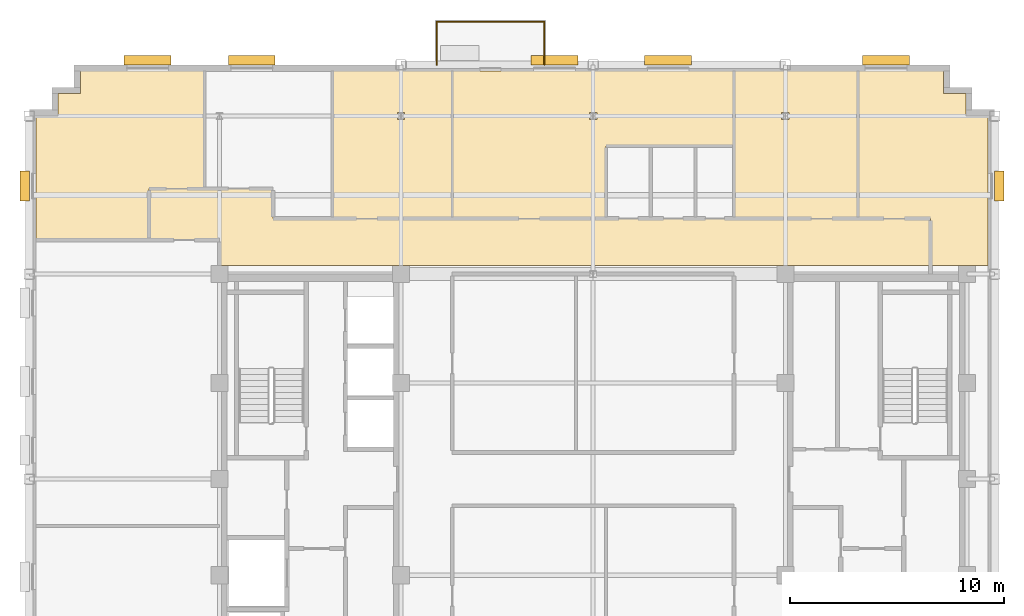
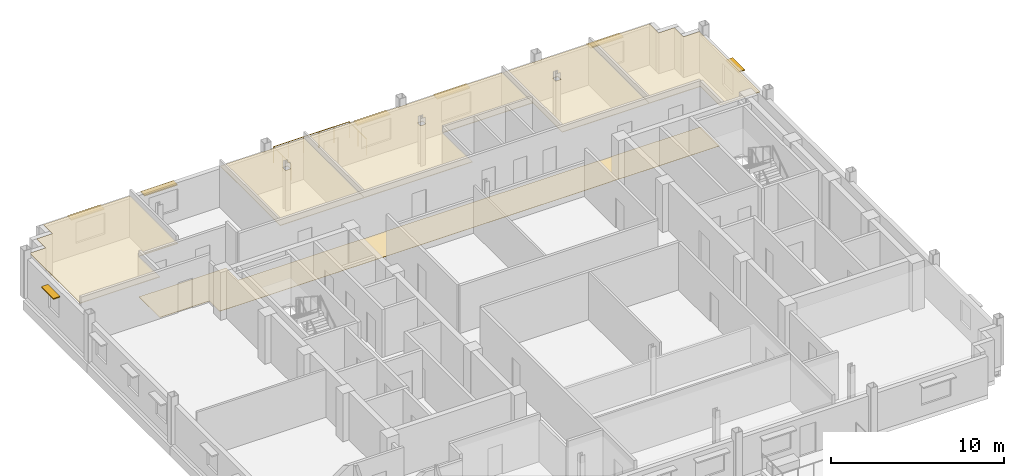
# One storey, part 13 of 13: 7 shading devices, 6 coverings, 1 railing.
"""IFC4 building model written with IfcOpenShell, lengths in metres."""

from ifc_helpers import new_model, si_unit, direction, frame, origin, origin_2d, place, context, subcontext, project, spatial, polyline, rectangle, circle, outline, extrude, source, transform, mapped, material, layer, layer_set, type_object, type_shapes, element, save


model = new_model("IFC4")

# Units and contexts
model_context = context("Model", 3, precision=1e-05, world=origin(), true_north=direction((0.0, 1.0)))
body_context = subcontext(model_context, "Body", "Model", "MODEL_VIEW")
ifc_project = project(units=[si_unit("LENGTHUNIT", "METRE"), si_unit("AREAUNIT", "SQUARE_METRE"), si_unit("VOLUMEUNIT", "CUBIC_METRE"), si_unit("PLANEANGLEUNIT", "RADIAN"), si_unit("MASSUNIT", "GRAM", prefix="KILO")], contexts=[model_context])

# Site, building, storey
site_placement = place(None, origin())
site = spatial("IfcSite", under=ifc_project, at=site_placement, CompositionType="ELEMENT")
building_placement = place(site_placement, origin())
building = spatial("IfcBuilding", under=site, at=building_placement, Name="Nuvemarco Arch Tower", CompositionType="ELEMENT")
storey_placement = place(building_placement, frame((0.0, 0.0, 231.050048828125)))
storey = spatial("IfcBuildingStorey", under=building, at=storey_placement, Name="L61", CompositionType="ELEMENT", Elevation=231.050048828125)

# Coverings
ifc_material_1 = material(Name="Mineral acoustic ceiling tile")
ifc_layer_1 = layer(ifc_material_1, 0.0400390625, Name="COV-ACOUSTIC-CLG")
ifc_layer_set_1 = layer_set([ifc_layer_1], Name="Mineral acoustic ceiling tile")
covering_type_1 = type_object("IfcCoveringType", Name="COV-ACOUSTIC-CLG", PredefinedType="CEILING", material=ifc_layer_set_1)
covering_1_placement = place(storey_placement, frame((0.0, 0.0, 2.849853515625)))
element("IfcCovering", 1, at=covering_1_placement, inside=storey, type_object=covering_type_1, Name="L61 suspended acoustic ceiling 2", PredefinedType="CEILING", context=body_context, shape_type="SweptSolid", body=[
    extrude(outline(polyline([(-6.60009765625, 12.199951171875), (-6.60009765625, 19.10009765625), (6.60009765625, 19.10009765625), (6.60009765625, 15.60009765625), (4.800048828125, 15.60009765625), (2.699951171875, 15.60009765625), (0.60009765625, 15.60009765625), (0.60009765625, 12.199951171875), (-6.60009765625, 12.199951171875)]), holes=[polyline([(0.169921875, 16.830078125), (0.169921875, 17.169921875), (-0.169921875, 17.169921875), (-0.169921875, 16.830078125), (0.169921875, 16.830078125)])]), origin(), (0.0, 0.0, 1.0), 0.0400390625),
])
covering_2_placement = place(storey_placement, frame((0.0, 0.0, 2.849853515625)))
element("IfcCovering", 2, at=covering_2_placement, inside=storey, type_object=covering_type_1, Name="L61 suspended acoustic ceiling 6", PredefinedType="CEILING", context=body_context, shape_type="SweptSolid", body=[
    extrude(outline(polyline([(-25.050048828125, 17.0), (-25.050048828125, 18.050048828125), (-24.0, 18.050048828125), (-24.0, 19.10009765625), (-18.199951171875, 19.10009765625), (-18.199951171875, 13.60009765625), (-20.800048828125, 13.60009765625), (-20.800048828125, 11.199951171875), (-26.10009765625, 11.199951171875), (-26.10009765625, 17.0), (-25.050048828125, 17.0)])), origin(), (0.0, 0.0, 1.0), 0.0400390625),
])
covering_3_placement = place(storey_placement, frame((0.0, 0.0, 2.849853515625)))
element("IfcCovering", 3, at=covering_3_placement, inside=storey, type_object=covering_type_1, Name="L61 suspended acoustic ceiling 7", PredefinedType="CEILING", context=body_context, shape_type="SweptSolid", body=[
    extrude(outline(polyline([(18.5, 17.0), (18.5, 10.0), (17.9150390625, 10.0), (17.9150390625, 10.014892578125), (17.0849609375, 10.014892578125), (17.0849609375, 10.0), (15.800048828125, 10.0), (15.800048828125, 12.199951171875), (12.39990234375, 12.199951171875), (12.39990234375, 19.10009765625), (16.39990234375, 19.10009765625), (16.39990234375, 18.050048828125), (17.449951171875, 18.050048828125), (17.449951171875, 17.0), (18.5, 17.0)])), origin(), (0.0, 0.0, 1.0), 0.0400390625),
])
covering_4_placement = place(storey_placement, frame((0.0, 0.0, 2.849853515625)))
element("IfcCovering", 4, at=covering_4_placement, inside=storey, type_object=covering_type_1, Name="L61 suspended acoustic ceiling 8", PredefinedType="CEILING", context=body_context, shape_type="SweptSolid", body=[
    extrude(outline(polyline([(12.39990234375, 19.10009765625), (12.39990234375, 12.199951171875), (9.0, 12.199951171875), (6.60009765625, 12.199951171875), (6.60009765625, 15.60009765625), (6.60009765625, 19.10009765625), (12.39990234375, 19.10009765625)]), holes=[polyline([(9.169921875, 17.169921875), (8.830078125, 17.169921875), (8.830078125, 16.830078125), (9.169921875, 16.830078125), (9.169921875, 17.169921875)])]), origin(), (0.0, 0.0, 1.0), 0.0400390625),
])
covering_5_placement = place(storey_placement, frame((0.0, 0.0, 2.849853515625)))
element("IfcCovering", 5, at=covering_5_placement, inside=storey, type_object=covering_type_1, Name="L61 suspended acoustic ceiling 9", PredefinedType="CEILING", context=body_context, shape_type="SweptSolid", body=[
    extrude(outline(polyline([(-6.60009765625, 12.199951171875), (-9.0, 12.199951171875), (-12.199951171875, 12.199951171875), (-12.199951171875, 19.10009765625), (-6.60009765625, 19.10009765625), (-6.60009765625, 12.199951171875)]), holes=[polyline([(-8.830078125, 17.169921875), (-9.169921875, 17.169921875), (-9.169921875, 16.830078125), (-8.830078125, 16.830078125), (-8.830078125, 17.169921875)])]), origin(), (0.0, 0.0, 1.0), 0.0400390625),
])
ifc_material_2 = material(Name="Polished granite terrazzostone flooring", Category="masonry")
ifc_layer_2 = layer(ifc_material_2, 0.02001953125, Name="COV-LOBBY-FLR")
ifc_layer_set_2 = layer_set([ifc_layer_2], Name="Polished granite terrazzostone flooring")
covering_type_2 = type_object("IfcCoveringType", Name="COV-LOBBY-FLR", PredefinedType="FLOORING", material=ifc_layer_set_2)
covering_6_placement = place(storey_placement, origin())
element("IfcCovering", 6, at=covering_6_placement, inside=storey, type_object=covering_type_2, Name="L61 polished terrazzo lobby flooring", PredefinedType="FLOORING", context=body_context, shape_type="SweptSolid", body=[
    extrude(outline(polyline([(-8.5849609375, 10.014892578125), (-9.4150390625, 10.014892578125), (-9.4150390625, 10.0), (-17.0849609375, 10.0), (-17.0849609375, 10.014892578125), (-17.5, 10.014892578125), (-17.5, 11.199951171875), (-20.800048828125, 11.199951171875), (-20.800048828125, 13.60009765625), (-15.0, 13.60009765625), (-15.0, 12.199951171875), (-9.0, 12.199951171875), (-6.60009765625, 12.199951171875), (6.60009765625, 12.199951171875), (9.0, 12.199951171875), (15.800048828125, 12.199951171875), (15.800048828125, 10.0), (9.4150390625, 10.0), (9.4150390625, 10.014892578125), (8.5849609375, 10.014892578125), (8.5849609375, 10.0), (-8.5849609375, 10.0), (-8.5849609375, 10.014892578125)])), origin(), (0.0, 0.0, 1.0), 0.02001953125),
])

# Railing
ifc_material_3 = material(Name="Dark anodised balustrade steel S355", Category="steel")
railing_type = type_object("IfcRailingType", Name="RL-TERR-GUARD", PredefinedType="BALUSTRADE", material=ifc_material_3)
railing_placement = place(storey_placement, frame((-7.320068359375, 19.39990234375, 0.0)))
element("IfcRailing", 7, at=railing_placement, inside=storey, type_object=railing_type, Name="L61 tree balcony perimeter balustrade guard", PredefinedType="BALUSTRADE", context=body_context, shape_type="SweptSolid", body=[
    extrude(circle(Radius=0.02392578125, at=origin_2d()), frame((0.0, 0.0, 1.1259765625), z_axis=(0.0, 1.0, 0.0), x_axis=(-1.0, 0.0, 0.0)), (0.0, 0.0, 1.0), 2.02001953125),
    extrude(circle(Radius=0.02392578125, at=origin_2d()), frame((0.0, 2.02001953125, 1.1259765625), z_axis=(1.0, 0.0, 0.0), x_axis=(0.0, 1.0, 0.0)), (0.0, 0.0, 1.0), 5.0400390625),
    extrude(circle(Radius=0.02392578125, at=origin_2d()), frame((5.0400390625, 2.02001953125, 1.1259765625), z_axis=(0.0, -1.0, 0.0), x_axis=(1.0, 0.0, 0.0)), (0.0, 0.0, 1.0), 2.02001953125),
    extrude(circle(Radius=0.02099609375, at=origin_2d()), origin(), (0.0, 0.0, 1.0), 1.101806640625),
    extrude(circle(Radius=0.02099609375, at=origin_2d()), frame((0.0, 1.010009765625, 0.0)), (0.0, 0.0, 1.0), 1.101806640625),
    extrude(circle(Radius=0.02099609375, at=origin_2d()), frame((0.0, 2.02001953125, 0.0)), (0.0, 0.0, 1.0), 1.101806640625),
    extrude(circle(Radius=0.02099609375, at=origin_2d()), frame((1.008056640625, 2.02001953125, 0.0)), (0.0, 0.0, 1.0), 1.101806640625),
    extrude(circle(Radius=0.02099609375, at=origin_2d()), frame((2.01611328125, 2.02001953125, 0.0)), (0.0, 0.0, 1.0), 1.101806640625),
    extrude(circle(Radius=0.02099609375, at=origin_2d()), frame((3.02392578125, 2.02001953125, 0.0)), (0.0, 0.0, 1.0), 1.101806640625),
    extrude(circle(Radius=0.02099609375, at=origin_2d()), frame((4.031982421875, 2.02001953125, 0.0)), (0.0, 0.0, 1.0), 1.101806640625),
    extrude(circle(Radius=0.02099609375, at=origin_2d()), frame((5.0400390625, 2.02001953125, 0.0)), (0.0, 0.0, 1.0), 1.101806640625),
    extrude(circle(Radius=0.02099609375, at=origin_2d()), frame((5.0400390625, 1.010009765625, 0.0)), (0.0, 0.0, 1.0), 1.101806640625),
    extrude(circle(Radius=0.02099609375, at=origin_2d()), frame((5.0400390625, 0.0, 0.0)), (0.0, 0.0, 1.0), 1.101806640625),
])

# Shading devices
ifc_material_4 = material(Name="Anodised aluminium 6063-T6", Category="aluminium")
shading_device_type_1 = type_object("IfcShadingDeviceType", Name="SHD-BRISE-SOLEIL", PredefinedType="USERDEFINED", material=ifc_material_4)
shared_shape_1 = source(origin(), body_context, "Body", "SweptSolid", [
    extrude(rectangle(XDim=2.199951171875, YDim=0.449951171875, at=origin_2d()), origin(), (0.0, 0.0, 1.0), 0.080078125),
])
type_shapes(shading_device_type_1, [shared_shape_1])
for number, where, z_axis, x_axis, name in (
    (8, (-20.862548828125, 19.614990234375, 2.284912109375), (0.0, 0.0, 1.0), (1.0, 0.0, 0.0), "L61 horizontal brise-soleil sunshade"),
    (9, (-15.987548828125, 19.614990234375, 2.284912109375), (0.0, 0.0, 1.0), (1.0, 0.0, 0.0), "L61 horizontal brise-soleil sunshade"),
    (10, (-1.8125, 19.614990234375, 2.284912109375), (0.0, 0.0, 1.0), (1.0, 0.0, 0.0), "L61 horizontal brise-soleil sunshade"),
    (11, (3.512451171875, 19.614990234375, 2.284912109375), (0.0, 0.0, 1.0), (1.0, 0.0, 0.0), "L61 horizontal brise-soleil sunshade"),
    (12, (13.71240234375, 19.614990234375, 2.284912109375), (0.0, 0.0, 1.0), (1.0, 0.0, 0.0), "L61 horizontal brise-soleil sunshade"),
):
    element("IfcShadingDevice", number, at=place(storey_placement, frame(where, z_axis=z_axis, x_axis=x_axis)), inside=storey, type_object=shading_device_type_1, Name=name, ObjectType="SUNSHADE", PredefinedType="USERDEFINED", context=body_context, shape_type="MappedRepresentation", body=[
        mapped(shared_shape_1, transform((0.0, 0.0, 0.0), scale=1.0)),
    ])
shading_device_type_2 = type_object("IfcShadingDeviceType", Name="SHD-BRISE-NARROW", PredefinedType="USERDEFINED", material=ifc_material_4)
shared_shape_2 = source(origin(), body_context, "Body", "SweptSolid", [
    extrude(rectangle(XDim=1.39990234375, YDim=0.449951171875, at=origin_2d()), origin(), (0.0, 0.0, 1.0), 0.080078125),
])
type_shapes(shading_device_type_2, [shared_shape_2])
for number, where, z_axis, x_axis, name in (
    (13, (19.014892578125, 13.7177734375, 2.284912109375), (0.0, 0.0, 1.0), (0.0, 1.0, 0.0), "L61 horizontal brise-soleil sunshade"),
    (14, (-26.614990234375, 13.7177734375, 2.284912109375), (0.0, 0.0, 1.0), (0.0, 1.0, 0.0), "L61 horizontal brise-soleil sunshade"),
):
    element("IfcShadingDevice", number, at=place(storey_placement, frame(where, z_axis=z_axis, x_axis=x_axis)), inside=storey, type_object=shading_device_type_2, Name=name, ObjectType="SUNSHADE", PredefinedType="USERDEFINED", context=body_context, shape_type="MappedRepresentation", body=[
        mapped(shared_shape_2, transform((0.0, 0.0, 0.0), scale=1.0)),
    ])

save(model, "model.ifc")
